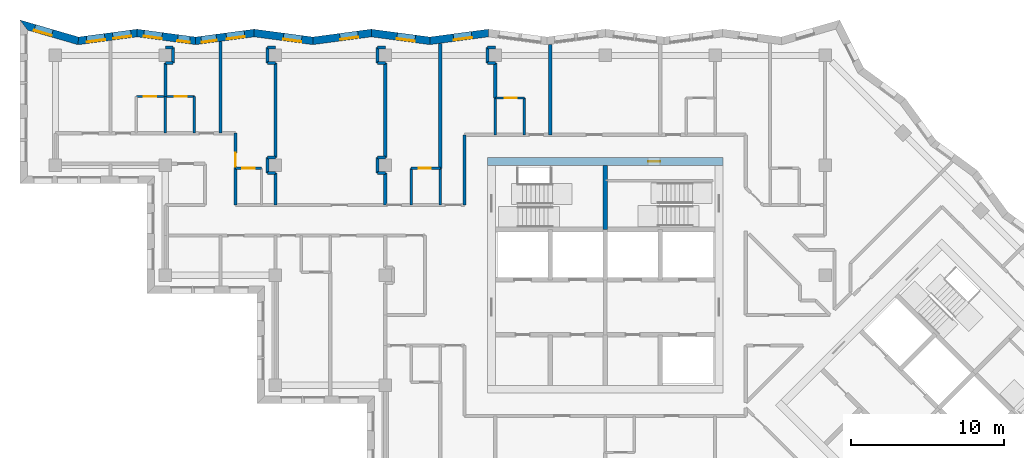
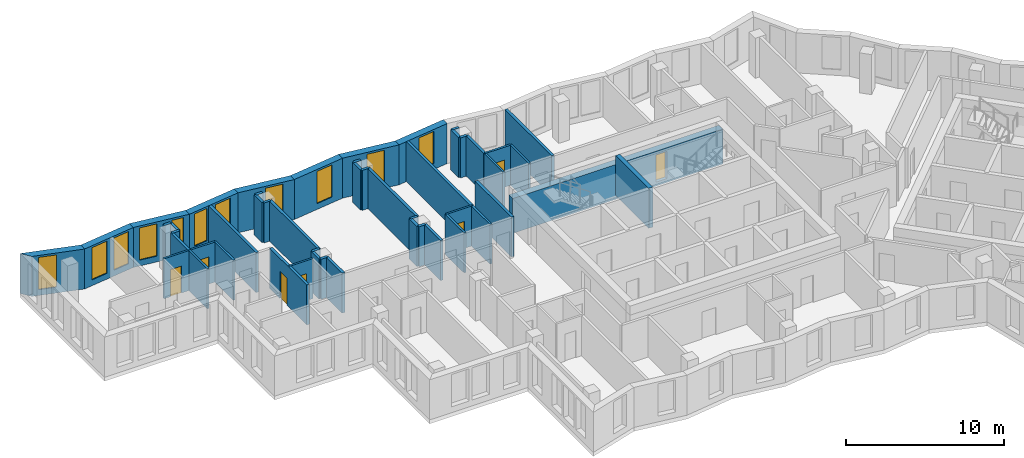
# One storey, part 6 of 12: 49 walls, 11 windows, 7 doors, 18 openings.
"""IFC4 building model written with IfcOpenShell, lengths in metres."""

from ifc_helpers import new_model, si_unit, direction, frame, frame_2d, origin, place, context, subcontext, project, spatial, polyline, rectangle, outline, extrude, material, layer, layer_set, type_object, element, fill, save


model = new_model("IFC4")

# Units and contexts
model_context = context("Model", 3, precision=1e-05, world=origin(), true_north=direction((0.0, 1.0)))
body_context = subcontext(model_context, "Body", "Model", "MODEL_VIEW")
ifc_project = project(units=[si_unit("LENGTHUNIT", "METRE"), si_unit("AREAUNIT", "SQUARE_METRE"), si_unit("VOLUMEUNIT", "CUBIC_METRE"), si_unit("PLANEANGLEUNIT", "RADIAN"), si_unit("MASSUNIT", "GRAM", prefix="KILO")], contexts=[model_context])

# Site, building, storey
site_placement = place(None, origin())
site = spatial("IfcSite", under=ifc_project, at=site_placement, CompositionType="ELEMENT")
building_placement = place(site_placement, origin())
building = spatial("IfcBuilding", under=site, at=building_placement, Name="Windrow Commons", CompositionType="ELEMENT")
storey_placement = place(building_placement, frame((0.0, 0.0, 213.4)))
storey = spatial("IfcBuildingStorey", under=building, at=storey_placement, Name="L58", CompositionType="ELEMENT", Elevation=213.4)

# Wall, opening, window
ifc_material_1 = material(Name="Brick masonry, red clay brick", Category="masonry")
ifc_layer_1 = layer(ifc_material_1, 0.5)
ifc_layer_set_1 = layer_set([ifc_layer_1], Name="Brick facade wall 500")
wall_type_1 = type_object("IfcWallType", Name="Brick facade wall 500", PredefinedType="SOLIDWALL", material=ifc_layer_set_1)
wall_1_placement = place(storey_placement, frame((57.1564, 73.4598, 0.0), z_axis=(0.0, 0.0, 1.0), x_axis=(-0.9911985198, -0.13238389, 0.0)))
wall_1 = element("IfcWall", 1, at=wall_1_placement, inside=storey, type_object=wall_type_1, Name="Brick facade wall L58 23", PredefinedType="SOLIDWALL", context=body_context, shape_type="SweptSolid", body=[
    extrude(outline(polyline([(-0.0334, -0.25), (3.8342, -0.25), (3.901, 0.25), (0.0334, 0.25), (-0.0334, -0.25)])), origin(), (0.0, 0.0, 1.0), 3.1),
])
opening_1_placement = place(wall_1_placement, frame((1.1089, 0.0, 0.45)))
opening_1 = element("IfcOpeningElement", 2, at=opening_1_placement, cuts=wall_1, Name="Opening W7E", PredefinedType="OPENING", context=body_context, shape_type="SweptSolid", body=[
    extrude(rectangle(XDim=1.2, YDim=2.5, at=frame_2d((0.6, 1.25))), frame((0.0, 0.26, 0.0), z_axis=(0.0, -1.0, 0.0), x_axis=(1.0, 0.0, 0.0)), (0.0, 0.0, 1.0), 0.52),
])
ifc_material_2 = material(Name="Clear float glass in anodised aluminium frame", Category="aluminium")
window_type_1 = type_object("IfcWindowType", Name="Window W7 notch 1200x2500", PartitioningType="SINGLE_PANEL", PredefinedType="WINDOW", material=ifc_material_2)
window_1_placement = place(opening_1_placement, origin())
window_1 = element("IfcWindow", 3, at=window_1_placement, inside=storey, type_object=window_type_1, Name="Window L58 23.1", OverallHeight=2.5, OverallWidth=1.2, PartitioningType="SINGLE_PANEL", PredefinedType="WINDOW", context=body_context, shape_type="SweptSolid", body=[
    extrude(rectangle(XDim=1.2, YDim=2.5, at=frame_2d((0.6, 1.25))), frame((0.0, 0.18, 0.0), z_axis=(0.0, -1.0, 0.0), x_axis=(1.0, 0.0, 0.0)), (0.0, 0.0, 1.0), 0.06),
])
fill(opening_1, window_1)

wall_2_placement = place(storey_placement, frame((53.3229, 72.9478, 0.0), z_axis=(0.0, 0.0, 1.0), x_axis=(-0.9911989729, 0.1323804972, 0.0)))
wall_2 = element("IfcWall", 4, at=wall_2_placement, inside=storey, type_object=wall_type_1, Name="Brick facade wall L58 24", PredefinedType="SOLIDWALL", context=body_context, shape_type="SweptSolid", body=[
    extrude(outline(polyline([(0.0334, -0.25), (3.901, -0.25), (3.8342, 0.25), (-0.0334, 0.25), (0.0334, -0.25)])), origin(), (0.0, 0.0, 1.0), 3.1),
])
opening_2_placement = place(wall_2_placement, frame((0.9744, 0.0, 0.45)))
opening_2 = element("IfcOpeningElement", 5, at=opening_2_placement, cuts=wall_2, Name="Opening W7E", PredefinedType="OPENING", context=body_context, shape_type="SweptSolid", body=[
    extrude(rectangle(XDim=1.2, YDim=2.5, at=frame_2d((0.6, 1.25))), frame((0.0, 0.26, 0.0), z_axis=(0.0, -1.0, 0.0), x_axis=(1.0, 0.0, 0.0)), (0.0, 0.0, 1.0), 0.52),
])
window_2_placement = place(opening_2_placement, origin())
window_2 = element("IfcWindow", 6, at=window_2_placement, inside=storey, type_object=window_type_1, Name="Window L58 24.1", OverallHeight=2.5, OverallWidth=1.2, PartitioningType="SINGLE_PANEL", PredefinedType="WINDOW", context=body_context, shape_type="SweptSolid", body=[
    extrude(rectangle(XDim=1.2, YDim=2.5, at=frame_2d((0.6, 1.25))), frame((0.0, 0.18, 0.0), z_axis=(0.0, -1.0, 0.0), x_axis=(1.0, 0.0, 0.0)), (0.0, 0.0, 1.0), 0.06),
])
fill(opening_2, window_2)

wall_3_placement = place(storey_placement, frame((49.4893, 73.4598, 0.0), z_axis=(0.0, 0.0, 1.0), x_axis=(-0.9911985198, -0.13238389, 0.0)))
wall_3 = element("IfcWall", 7, at=wall_3_placement, inside=storey, type_object=wall_type_1, Name="Brick facade wall L58 25", PredefinedType="SOLIDWALL", context=body_context, shape_type="SweptSolid", body=[
    extrude(outline(polyline([(-0.0334, -0.25), (3.8342, -0.25), (3.901, 0.25), (0.0334, 0.25), (-0.0334, -0.25)])), origin(), (0.0, 0.0, 1.0), 3.1),
])
opening_3_placement = place(wall_3_placement, frame((0.8733, 0.0, 0.45)))
opening_3 = element("IfcOpeningElement", 8, at=opening_3_placement, cuts=wall_3, Name="Opening W7E", PredefinedType="OPENING", context=body_context, shape_type="SweptSolid", body=[
    extrude(rectangle(XDim=1.2, YDim=2.5, at=frame_2d((0.6, 1.25))), frame((0.0, 0.26, 0.0), z_axis=(0.0, -1.0, 0.0), x_axis=(1.0, 0.0, 0.0)), (0.0, 0.0, 1.0), 0.52),
])
window_3_placement = place(opening_3_placement, origin())
window_3 = element("IfcWindow", 9, at=window_3_placement, inside=storey, type_object=window_type_1, Name="Window L58 25.1", OverallHeight=2.5, OverallWidth=1.2, PartitioningType="SINGLE_PANEL", PredefinedType="WINDOW", context=body_context, shape_type="SweptSolid", body=[
    extrude(rectangle(XDim=1.2, YDim=2.5, at=frame_2d((0.6, 1.25))), frame((0.0, 0.18, 0.0), z_axis=(0.0, -1.0, 0.0), x_axis=(1.0, 0.0, 0.0)), (0.0, 0.0, 1.0), 0.06),
])
fill(opening_3, window_3)

wall_4_placement = place(storey_placement, frame((45.6558, 72.9478, 0.0), z_axis=(0.0, 0.0, 1.0), x_axis=(-0.9911989729, 0.1323804972, 0.0)))
wall_4 = element("IfcWall", 10, at=wall_4_placement, inside=storey, type_object=wall_type_1, Name="Brick facade wall L58 26", PredefinedType="SOLIDWALL", context=body_context, shape_type="SweptSolid", body=[
    extrude(outline(polyline([(0.0334, -0.25), (3.901, -0.25), (3.8342, 0.25), (-0.0334, 0.25), (0.0334, -0.25)])), origin(), (0.0, 0.0, 1.0), 3.1),
])
opening_4_placement = place(wall_4_placement, frame((0.7388, 0.0, 0.45)))
opening_4 = element("IfcOpeningElement", 11, at=opening_4_placement, cuts=wall_4, Name="Opening W7E", PredefinedType="OPENING", context=body_context, shape_type="SweptSolid", body=[
    extrude(rectangle(XDim=1.2, YDim=2.5, at=frame_2d((0.6, 1.25))), frame((0.0, 0.26, 0.0), z_axis=(0.0, -1.0, 0.0), x_axis=(1.0, 0.0, 0.0)), (0.0, 0.0, 1.0), 0.52),
])
window_4_placement = place(opening_4_placement, origin())
window_4 = element("IfcWindow", 12, at=window_4_placement, inside=storey, type_object=window_type_1, Name="Window L58 26.1", OverallHeight=2.5, OverallWidth=1.2, PartitioningType="SINGLE_PANEL", PredefinedType="WINDOW", context=body_context, shape_type="SweptSolid", body=[
    extrude(rectangle(XDim=1.2, YDim=2.5, at=frame_2d((0.6, 1.25))), frame((0.0, 0.18, 0.0), z_axis=(0.0, -1.0, 0.0), x_axis=(1.0, 0.0, 0.0)), (0.0, 0.0, 1.0), 0.06),
])
fill(opening_4, window_4)

# Wall, openings, windows
wall_5_placement = place(storey_placement, frame((41.8222, 73.4598, 0.0), z_axis=(0.0, 0.0, 1.0), x_axis=(-0.9911985198, -0.13238389, 0.0)))
wall_5 = element("IfcWall", 13, at=wall_5_placement, inside=storey, type_object=wall_type_1, Name="Brick facade wall L58 27", PredefinedType="SOLIDWALL", context=body_context, shape_type="SweptSolid", body=[
    extrude(outline(polyline([(-0.0334, -0.25), (3.8342, -0.25), (3.901, 0.25), (0.0334, 0.25), (-0.0334, -0.25)])), origin(), (0.0, 0.0, 1.0), 3.1),
])
opening_5_placement = place(wall_5_placement, frame((0.6377, 0.0, 0.45)))
opening_5 = element("IfcOpeningElement", 14, at=opening_5_placement, cuts=wall_5, Name="Opening W7E", PredefinedType="OPENING", context=body_context, shape_type="SweptSolid", body=[
    extrude(rectangle(XDim=1.2, YDim=2.5, at=frame_2d((0.6, 1.25))), frame((0.0, 0.26, 0.0), z_axis=(0.0, -1.0, 0.0), x_axis=(1.0, 0.0, 0.0)), (0.0, 0.0, 1.0), 0.52),
])
opening_6_placement = place(wall_5_placement, frame((2.4963, 0.0, 0.45)))
opening_6 = element("IfcOpeningElement", 15, at=opening_6_placement, cuts=wall_5, Name="Opening W1S", PredefinedType="OPENING", context=body_context, shape_type="SweptSolid", body=[
    extrude(rectangle(XDim=1.0, YDim=2.5, at=frame_2d((0.5, 1.25))), frame((0.0, 0.26, 0.0), z_axis=(0.0, -1.0, 0.0), x_axis=(1.0, 0.0, 0.0)), (0.0, 0.0, 1.0), 0.52),
])
ifc_material_3 = material(Name="Clear float glass in anodised aluminium frame", Category="aluminium")
window_type_2 = type_object("IfcWindowType", Name="Window W1S slit 1000x2500", PartitioningType="SINGLE_PANEL", PredefinedType="WINDOW", material=ifc_material_3)
window_5_placement = place(opening_6_placement, origin())
window_5 = element("IfcWindow", 16, at=window_5_placement, inside=storey, type_object=window_type_2, Name="Window L58 27.2A", OverallHeight=2.5, OverallWidth=1.0, PartitioningType="SINGLE_PANEL", PredefinedType="WINDOW", context=body_context, shape_type="SweptSolid", body=[
    extrude(rectangle(XDim=1.0, YDim=2.5, at=frame_2d((0.5, 1.25))), frame((0.0, 0.18, 0.0), z_axis=(0.0, -1.0, 0.0), x_axis=(1.0, 0.0, 0.0)), (0.0, 0.0, 1.0), 0.06),
])
fill(opening_6, window_5)
window_6_placement = place(opening_5_placement, origin())
window_6 = element("IfcWindow", 17, at=window_6_placement, inside=storey, type_object=window_type_1, Name="Window L58 27.1", OverallHeight=2.5, OverallWidth=1.2, PartitioningType="SINGLE_PANEL", PredefinedType="WINDOW", context=body_context, shape_type="SweptSolid", body=[
    extrude(rectangle(XDim=1.2, YDim=2.5, at=frame_2d((0.6, 1.25))), frame((0.0, 0.18, 0.0), z_axis=(0.0, -1.0, 0.0), x_axis=(1.0, 0.0, 0.0)), (0.0, 0.0, 1.0), 0.06),
])
fill(opening_5, window_6)

wall_6_placement = place(storey_placement, frame((37.9887, 72.9478, 0.0), z_axis=(0.0, 0.0, 1.0), x_axis=(-0.9911989729, 0.1323804972, 0.0)))
wall_6 = element("IfcWall", 18, at=wall_6_placement, inside=storey, type_object=wall_type_1, Name="Brick facade wall L58 28", PredefinedType="SOLIDWALL", context=body_context, shape_type="SweptSolid", body=[
    extrude(outline(polyline([(0.0334, -0.25), (3.901, -0.25), (3.8342, 0.25), (-0.0334, 0.25), (0.0334, -0.25)])), origin(), (0.0, 0.0, 1.0), 3.1),
])
opening_7_placement = place(wall_6_placement, frame((2.2203, 0.0, 0.45)))
opening_7 = element("IfcOpeningElement", 19, at=opening_7_placement, cuts=wall_6, Name="Opening W7E", PredefinedType="OPENING", context=body_context, shape_type="SweptSolid", body=[
    extrude(rectangle(XDim=1.2, YDim=2.5, at=frame_2d((0.6, 1.25))), frame((0.0, 0.26, 0.0), z_axis=(0.0, -1.0, 0.0), x_axis=(1.0, 0.0, 0.0)), (0.0, 0.0, 1.0), 0.52),
])
opening_8_placement = place(wall_6_placement, frame((0.3835, 0.0, 0.45)))
opening_8 = element("IfcOpeningElement", 20, at=opening_8_placement, cuts=wall_6, Name="Opening W1N", PredefinedType="OPENING", context=body_context, shape_type="SweptSolid", body=[
    extrude(rectangle(XDim=0.8, YDim=2.5, at=frame_2d((0.4, 1.25))), frame((0.0, 0.26, 0.0), z_axis=(0.0, -1.0, 0.0), x_axis=(1.0, 0.0, 0.0)), (0.0, 0.0, 1.0), 0.52),
])
ifc_material_4 = material(Name="Clear float glass in anodised aluminium frame", Category="aluminium")
window_type_3 = type_object("IfcWindowType", Name="Window W1N slit 800x2500", PartitioningType="SINGLE_PANEL", PredefinedType="WINDOW", material=ifc_material_4)
window_7_placement = place(opening_8_placement, origin())
window_7 = element("IfcWindow", 21, at=window_7_placement, inside=storey, type_object=window_type_3, Name="Window L58 28.1A", OverallHeight=2.5, OverallWidth=0.8, PartitioningType="SINGLE_PANEL", PredefinedType="WINDOW", context=body_context, shape_type="SweptSolid", body=[
    extrude(rectangle(XDim=0.8, YDim=2.5, at=frame_2d((0.4, 1.25))), frame((0.0, 0.18, 0.0), z_axis=(0.0, -1.0, 0.0), x_axis=(1.0, 0.0, 0.0)), (0.0, 0.0, 1.0), 0.06),
])
fill(opening_8, window_7)
window_8_placement = place(opening_7_placement, origin())
window_8 = element("IfcWindow", 22, at=window_8_placement, inside=storey, type_object=window_type_1, Name="Window L58 28.2", OverallHeight=2.5, OverallWidth=1.2, PartitioningType="SINGLE_PANEL", PredefinedType="WINDOW", context=body_context, shape_type="SweptSolid", body=[
    extrude(rectangle(XDim=1.2, YDim=2.5, at=frame_2d((0.6, 1.25))), frame((0.0, 0.18, 0.0), z_axis=(0.0, -1.0, 0.0), x_axis=(1.0, 0.0, 0.0)), (0.0, 0.0, 1.0), 0.06),
])
fill(opening_7, window_8)

wall_7_placement = place(storey_placement, frame((34.1551, 73.4598, 0.0), z_axis=(0.0, 0.0, 1.0), x_axis=(-0.991196865, -0.1323962796, 0.0)))
wall_7 = element("IfcWall", 23, at=wall_7_placement, inside=storey, type_object=wall_type_1, Name="Brick facade wall L58 29", PredefinedType="SOLIDWALL", context=body_context, shape_type="SweptSolid", body=[
    extrude(outline(polyline([(-0.0334, -0.25), (3.8342, -0.25), (3.9395, 0.25), (0.0334, 0.25), (-0.0334, -0.25)])), origin(), (0.0, 0.0, 1.0), 3.1),
])
opening_9_placement = place(wall_7_placement, frame((0.402, 0.0, 0.45)))
opening_9 = element("IfcOpeningElement", 24, at=opening_9_placement, cuts=wall_7, Name="Opening W7E", PredefinedType="OPENING", context=body_context, shape_type="SweptSolid", body=[
    extrude(rectangle(XDim=1.2, YDim=2.5, at=frame_2d((0.6, 1.25))), frame((0.0, 0.26, 0.0), z_axis=(0.0, -1.0, 0.0), x_axis=(1.0, 0.0, 0.0)), (0.0, 0.0, 1.0), 0.52),
])
opening_10_placement = place(wall_7_placement, frame((2.1288, 0.0, 0.45)))
opening_10 = element("IfcOpeningElement", 25, at=opening_10_placement, cuts=wall_7, Name="Opening W7E", PredefinedType="OPENING", context=body_context, shape_type="SweptSolid", body=[
    extrude(rectangle(XDim=1.2, YDim=2.5, at=frame_2d((0.6, 1.25))), frame((0.0, 0.26, 0.0), z_axis=(0.0, -1.0, 0.0), x_axis=(1.0, 0.0, 0.0)), (0.0, 0.0, 1.0), 0.52),
])
window_9_placement = place(opening_9_placement, origin())
window_9 = element("IfcWindow", 26, at=window_9_placement, inside=storey, type_object=window_type_1, Name="Window L58 29.1", OverallHeight=2.5, OverallWidth=1.2, PartitioningType="SINGLE_PANEL", PredefinedType="WINDOW", context=body_context, shape_type="SweptSolid", body=[
    extrude(rectangle(XDim=1.2, YDim=2.5, at=frame_2d((0.6, 1.25))), frame((0.0, 0.18, 0.0), z_axis=(0.0, -1.0, 0.0), x_axis=(1.0, 0.0, 0.0)), (0.0, 0.0, 1.0), 0.06),
])
fill(opening_9, window_9)
window_10_placement = place(opening_10_placement, origin())
window_10 = element("IfcWindow", 27, at=window_10_placement, inside=storey, type_object=window_type_1, Name="Window L58 29.2", OverallHeight=2.5, OverallWidth=1.2, PartitioningType="SINGLE_PANEL", PredefinedType="WINDOW", context=body_context, shape_type="SweptSolid", body=[
    extrude(rectangle(XDim=1.2, YDim=2.5, at=frame_2d((0.6, 1.25))), frame((0.0, 0.18, 0.0), z_axis=(0.0, -1.0, 0.0), x_axis=(1.0, 0.0, 0.0)), (0.0, 0.0, 1.0), 0.06),
])
fill(opening_10, window_10)

# Wall, opening, window
wall_8_placement = place(storey_placement, frame((30.3025, 72.9452, 0.0), z_axis=(0.0, 0.0, 1.0), x_axis=(-0.9604078738, 0.2785977673, 0.0)))
wall_8 = element("IfcWall", 28, at=wall_8_placement, inside=storey, type_object=wall_type_1, Name="Brick facade wall L58 30", PredefinedType="SOLIDWALL", context=body_context, shape_type="SweptSolid", body=[
    extrude(outline(polyline([(0.0526, -0.25), (4.0442, -0.25), (3.3786, 0.25), (-0.0526, 0.25), (0.0526, -0.25)])), origin(), (0.0, 0.0, 1.0), 3.1),
])
opening_11_placement = place(wall_8_placement, frame((1.7715, 0.0, 0.45)))
opening_11 = element("IfcOpeningElement", 29, at=opening_11_placement, cuts=wall_8, Name="Opening W7E", PredefinedType="OPENING", context=body_context, shape_type="SweptSolid", body=[
    extrude(rectangle(XDim=1.2, YDim=2.5, at=frame_2d((0.6, 1.25))), frame((0.0, 0.26, 0.0), z_axis=(0.0, -1.0, 0.0), x_axis=(1.0, 0.0, 0.0)), (0.0, 0.0, 1.0), 0.52),
])
window_11_placement = place(opening_11_placement, origin())
window_11 = element("IfcWindow", 30, at=window_11_placement, inside=storey, type_object=window_type_1, Name="Window L58 30.1", OverallHeight=2.5, OverallWidth=1.2, PartitioningType="SINGLE_PANEL", PredefinedType="WINDOW", context=body_context, shape_type="SweptSolid", body=[
    extrude(rectangle(XDim=1.2, YDim=2.5, at=frame_2d((0.6, 1.25))), frame((0.0, 0.18, 0.0), z_axis=(0.0, -1.0, 0.0), x_axis=(1.0, 0.0, 0.0)), (0.0, 0.0, 1.0), 0.06),
])
fill(opening_11, window_11)

# Wall, opening, door
ifc_material_5 = material(Name="Blockwork partition", Category="masonry")
ifc_layer_2 = layer(ifc_material_5, 0.2)
ifc_layer_set_2 = layer_set([ifc_layer_2], Name="IW-CORRIDOR-200")
wall_type_2 = type_object("IfcWallType", Name="IW-CORRIDOR-200", PredefinedType="PARTITIONING", material=ifc_layer_set_2)
wall_9_placement = place(storey_placement, frame((40.6, 62.202, 0.0), z_axis=(0.0, 0.0, 1.0), x_axis=(0.0, 1.0, 0.0)))
wall_9 = element("IfcWall", 31, at=wall_9_placement, inside=storey, type_object=wall_type_2, Name="W-L58-W039", PredefinedType="PARTITIONING", context=body_context, shape_type="SweptSolid", body=[
    extrude(rectangle(XDim=4.698, YDim=0.2, at=frame_2d((2.349, 0.0))), origin(), (0.0, 0.0, 1.0), 3.1),
])
opening_12_placement = place(wall_9_placement, frame((2.5098, 0.0, 0.0)))
opening_12 = element("IfcOpeningElement", 32, at=opening_12_placement, cuts=wall_9, Name="Opening D109S", PredefinedType="OPENING", context=body_context, shape_type="SweptSolid", body=[
    extrude(rectangle(XDim=0.9, YDim=2.1, at=frame_2d((0.45, 1.05))), frame((0.0, 0.11, 0.0), z_axis=(0.0, -1.0, 0.0), x_axis=(1.0, 0.0, 0.0)), (0.0, 0.0, 1.0), 0.22),
])
ifc_material_6 = material(Name="Timber door leaf", Category="wood")
door_type_1 = type_object("IfcDoorType", Name="DT-BEDROOM-900", OperationType="SINGLE_SWING_LEFT", PredefinedType="DOOR", material=ifc_material_6)
door_1_placement = place(opening_12_placement, origin())
door_1 = element("IfcDoor", 33, at=door_1_placement, inside=storey, type_object=door_type_1, Name="D-L58-D016", OperationType="SINGLE_SWING_LEFT", OverallHeight=2.1, OverallWidth=0.9, PredefinedType="DOOR", context=body_context, shape_type="SweptSolid", body=[
    extrude(rectangle(XDim=0.9, YDim=2.1, at=frame_2d((0.45, 1.05))), frame((0.0, 0.025, 0.0), z_axis=(0.0, -1.0, 0.0), x_axis=(1.0, 0.0, 0.0)), (0.0, 0.0, 1.0), 0.05),
])
fill(opening_12, door_1)

# Wall
wall_10_placement = place(storey_placement, frame((55.6, 62.202, 0.0), z_axis=(0.0, 0.0, 1.0), x_axis=(0.0, 1.0, 0.0)))
element("IfcWall", 34, at=wall_10_placement, inside=storey, type_object=wall_type_2, Name="W-L58-W041", PredefinedType="PARTITIONING", context=body_context, shape_type="SweptSolid", body=[
    extrude(rectangle(XDim=4.598, YDim=0.2, at=frame_2d((2.299, 0.0))), origin(), (0.0, 0.0, 1.0), 3.1),
])

# Wall, openings, doors
ifc_material_7 = material(Name="Blockwork partition", Category="masonry")
ifc_layer_3 = layer(ifc_material_7, 0.15)
ifc_layer_set_3 = layer_set([ifc_layer_3], Name="IW-ENSUITE-150")
wall_type_3 = type_object("IfcWallType", Name="IW-ENSUITE-150", PredefinedType="PARTITIONING", material=ifc_layer_set_3)
wall_11_placement = place(storey_placement, frame((34.1, 69.3, 0.0), z_axis=(0.0, 0.0, 1.0), x_axis=(1.0, 0.0, 0.0)))
wall_11 = element("IfcWall", 35, at=wall_11_placement, inside=storey, type_object=wall_type_3, Name="W-L58-W045", PredefinedType="PARTITIONING", context=body_context, shape_type="SweptSolid", body=[
    extrude(rectangle(XDim=3.8, YDim=0.15, at=frame_2d((1.9, 0.0))), origin(), (0.0, 0.0, 1.0), 3.1),
])
opening_13_placement = place(wall_11_placement, frame((0.4931, 0.0, 0.0)))
opening_13 = element("IfcOpeningElement", 36, at=opening_13_placement, cuts=wall_11, Name="Opening D208N", PredefinedType="OPENING", context=body_context, shape_type="SweptSolid", body=[
    extrude(rectangle(XDim=0.8, YDim=2.1, at=frame_2d((0.4, 1.05))), frame((0.0, 0.085, 0.0), z_axis=(0.0, -1.0, 0.0), x_axis=(1.0, 0.0, 0.0)), (0.0, 0.0, 1.0), 0.17),
])
opening_14_placement = place(wall_11_placement, frame((2.5069, 0.0, 0.0)))
opening_14 = element("IfcOpeningElement", 37, at=opening_14_placement, cuts=wall_11, Name="Opening D208N", PredefinedType="OPENING", context=body_context, shape_type="SweptSolid", body=[
    extrude(rectangle(XDim=0.8, YDim=2.1, at=frame_2d((0.4, 1.05))), frame((0.0, 0.085, 0.0), z_axis=(0.0, -1.0, 0.0), x_axis=(1.0, 0.0, 0.0)), (0.0, 0.0, 1.0), 0.17),
])
ifc_material_8 = material(Name="Timber door leaf", Category="wood")
door_type_2 = type_object("IfcDoorType", Name="DT-ENSUITE-800", OperationType="SINGLE_SWING_LEFT", PredefinedType="DOOR", material=ifc_material_8)
door_2_placement = place(opening_13_placement, origin())
door_2 = element("IfcDoor", 38, at=door_2_placement, inside=storey, type_object=door_type_2, Name="D-L58-D004", OperationType="SINGLE_SWING_RIGHT", OverallHeight=2.1, OverallWidth=0.8, PredefinedType="DOOR", context=body_context, shape_type="SweptSolid", body=[
    extrude(rectangle(XDim=0.8, YDim=2.1, at=frame_2d((0.4, 1.05))), frame((0.0, 0.025, 0.0), z_axis=(0.0, -1.0, 0.0), x_axis=(1.0, 0.0, 0.0)), (0.0, 0.0, 1.0), 0.05),
])
fill(opening_13, door_2)
door_3_placement = place(opening_14_placement, origin())
door_3 = element("IfcDoor", 39, at=door_3_placement, inside=storey, type_object=door_type_2, Name="D-L58-D006", OperationType="SINGLE_SWING_RIGHT", OverallHeight=2.1, OverallWidth=0.8, PredefinedType="DOOR", context=body_context, shape_type="SweptSolid", body=[
    extrude(rectangle(XDim=0.8, YDim=2.1, at=frame_2d((0.4, 1.05))), frame((0.0, 0.025, 0.0), z_axis=(0.0, -1.0, 0.0), x_axis=(1.0, 0.0, 0.0)), (0.0, 0.0, 1.0), 0.05),
])
fill(opening_14, door_3)

# Walls
for number, where, z_axis, x_axis, name in (
    (40, (57.6, 66.8, 0.0), (0.0, 0.0, 1.0), (0.0, 1.0, 0.0), "W-L58-W064"),
    (41, (59.5, 66.8, 0.0), (0.0, 0.0, 1.0), (0.0, 1.0, 0.0), "W-L58-W065"),
    (42, (36.0, 66.9, 0.0), (0.0, 0.0, 1.0), (0.0, 1.0, 0.0), "W-L58-W074"),
    (43, (37.9, 66.9, 0.0), (0.0, 0.0, 1.0), (0.0, 1.0, 0.0), "W-L58-W075"),
    (44, (52.1, 62.2, 0.0), (0.0, 0.0, 1.0), (0.0, 1.0, 0.0), "W-L58-W077"),
    (45, (54.0, 62.2, 0.0), (0.0, 0.0, 1.0), (0.0, 1.0, 0.0), "W-L58-W078"),
):
    element("IfcWall", number, at=place(storey_placement, frame(where, z_axis=z_axis, x_axis=x_axis)), inside=storey, type_object=wall_type_3, Name=name, PredefinedType="PARTITIONING", context=body_context, shape_type="SweptSolid", body=[
        extrude(rectangle(XDim=2.4, YDim=0.15, at=frame_2d((1.2, 0.0))), origin(), (0.0, 0.0, 1.0), 3.1),
    ])

# Wall, opening, door
wall_12_placement = place(storey_placement, frame((52.1, 64.6, 0.0), z_axis=(0.0, 0.0, 1.0), x_axis=(1.0, 0.0, 0.0)))
wall_12 = element("IfcWall", 46, at=wall_12_placement, inside=storey, type_object=wall_type_3, Name="W-L58-W110", PredefinedType="PARTITIONING", context=body_context, shape_type="SweptSolid", body=[
    extrude(rectangle(XDim=1.9, YDim=0.15, at=frame_2d((0.95, 0.0))), origin(), (0.0, 0.0, 1.0), 3.1),
])
opening_15_placement = place(wall_12_placement, frame((0.4931, 0.0, 0.0)))
opening_15 = element("IfcOpeningElement", 47, at=opening_15_placement, cuts=wall_12, Name="Opening D208N", PredefinedType="OPENING", context=body_context, shape_type="SweptSolid", body=[
    extrude(rectangle(XDim=0.8, YDim=2.1, at=frame_2d((0.4, 1.05))), frame((0.0, 0.085, 0.0), z_axis=(0.0, -1.0, 0.0), x_axis=(1.0, 0.0, 0.0)), (0.0, 0.0, 1.0), 0.17),
])
door_4_placement = place(opening_15_placement, origin())
door_4 = element("IfcDoor", 48, at=door_4_placement, inside=storey, type_object=door_type_2, Name="D-L58-D020", OperationType="SINGLE_SWING_RIGHT", OverallHeight=2.1, OverallWidth=0.8, PredefinedType="DOOR", context=body_context, shape_type="SweptSolid", body=[
    extrude(rectangle(XDim=0.8, YDim=2.1, at=frame_2d((0.4, 1.05))), frame((0.0, 0.025, 0.0), z_axis=(0.0, -1.0, 0.0), x_axis=(1.0, 0.0, 0.0)), (0.0, 0.0, 1.0), 0.05),
])
fill(opening_15, door_4)

wall_13_placement = place(storey_placement, frame((57.6, 69.2, 0.0), z_axis=(0.0, 0.0, 1.0), x_axis=(1.0, 0.0, 0.0)))
wall_13 = element("IfcWall", 49, at=wall_13_placement, inside=storey, type_object=wall_type_3, Name="W-L58-W113", PredefinedType="PARTITIONING", context=body_context, shape_type="SweptSolid", body=[
    extrude(rectangle(XDim=1.9, YDim=0.15, at=frame_2d((0.95, 0.0))), origin(), (0.0, 0.0, 1.0), 3.1),
])
opening_16_placement = place(wall_13_placement, frame((0.6069, 0.0, 0.0)))
opening_16 = element("IfcOpeningElement", 50, at=opening_16_placement, cuts=wall_13, Name="Opening D208N", PredefinedType="OPENING", context=body_context, shape_type="SweptSolid", body=[
    extrude(rectangle(XDim=0.8, YDim=2.1, at=frame_2d((0.4, 1.05))), frame((0.0, 0.085, 0.0), z_axis=(0.0, -1.0, 0.0), x_axis=(1.0, 0.0, 0.0)), (0.0, 0.0, 1.0), 0.17),
])
door_5_placement = place(opening_16_placement, origin())
door_5 = element("IfcDoor", 51, at=door_5_placement, inside=storey, type_object=door_type_2, Name="D-L58-D008", OperationType="SINGLE_SWING_RIGHT", OverallHeight=2.1, OverallWidth=0.8, PredefinedType="DOOR", context=body_context, shape_type="SweptSolid", body=[
    extrude(rectangle(XDim=0.8, YDim=2.1, at=frame_2d((0.4, 1.05))), frame((0.0, 0.025, 0.0), z_axis=(0.0, -1.0, 0.0), x_axis=(1.0, 0.0, 0.0)), (0.0, 0.0, 1.0), 0.05),
])
fill(opening_16, door_5)

wall_14_placement = place(storey_placement, frame((40.6, 64.6, 0.0), z_axis=(0.0, 0.0, 1.0), x_axis=(1.0, 0.0, 0.0)))
wall_14 = element("IfcWall", 52, at=wall_14_placement, inside=storey, type_object=wall_type_3, Name="W-L58-W117", PredefinedType="PARTITIONING", context=body_context, shape_type="SweptSolid", body=[
    extrude(rectangle(XDim=1.7, YDim=0.15, at=frame_2d((0.85, 0.0))), origin(), (0.0, 0.0, 1.0), 3.1),
])
opening_17_placement = place(wall_14_placement, frame((0.4443, 0.0, 0.0)))
opening_17 = element("IfcOpeningElement", 53, at=opening_17_placement, cuts=wall_14, Name="Opening D208N", PredefinedType="OPENING", context=body_context, shape_type="SweptSolid", body=[
    extrude(rectangle(XDim=0.8, YDim=2.1, at=frame_2d((0.4, 1.05))), frame((0.0, 0.085, 0.0), z_axis=(0.0, -1.0, 0.0), x_axis=(1.0, 0.0, 0.0)), (0.0, 0.0, 1.0), 0.17),
])
door_6_placement = place(opening_17_placement, origin())
door_6 = element("IfcDoor", 54, at=door_6_placement, inside=storey, type_object=door_type_2, Name="D-L58-D017", OperationType="SINGLE_SWING_RIGHT", OverallHeight=2.1, OverallWidth=0.8, PredefinedType="DOOR", context=body_context, shape_type="SweptSolid", body=[
    extrude(rectangle(XDim=0.8, YDim=2.1, at=frame_2d((0.4, 1.05))), frame((0.0, 0.025, 0.0), z_axis=(0.0, -1.0, 0.0), x_axis=(1.0, 0.0, 0.0)), (0.0, 0.0, 1.0), 0.05),
])
fill(opening_17, door_6)

# Walls
ifc_material_9 = material(Name="Blockwork partition", Category="masonry")
ifc_layer_4 = layer(ifc_material_9, 0.2)
ifc_layer_set_4 = layer_set([ifc_layer_4], Name="IW-PARTY-200")
wall_type_4 = type_object("IfcWallType", Name="IW-PARTY-200", PredefinedType="PARTITIONING", material=ifc_layer_set_4)
wall_15_placement = place(storey_placement, frame((54.0, 64.6, 0.0), z_axis=(0.0, 0.0, 1.0), x_axis=(0.0, 1.0, 0.0)))
element("IfcWall", 55, at=wall_15_placement, inside=storey, type_object=wall_type_4, Name="W-L58-W013", PredefinedType="PARTITIONING", context=body_context, shape_type="SweptSolid", body=[
    extrude(rectangle(XDim=8.186, YDim=0.2, at=frame_2d((4.093, 0.0))), origin(), (0.0, 0.0, 1.0), 3.1),
])
for number, where, z_axis, x_axis, name in (
    (56, (43.2, 65.304, 0.0), (0.0, 0.0, 1.0), (0.0, 1.0, 0.0), "W-L58-W020"),
    (57, (50.4, 65.304, 0.0), (0.0, 0.0, 1.0), (0.0, 1.0, 0.0), "W-L58-W021"),
):
    element("IfcWall", number, at=place(storey_placement, frame(where, z_axis=z_axis, x_axis=x_axis)), inside=storey, type_object=wall_type_4, Name=name, PredefinedType="PARTITIONING", context=body_context, shape_type="SweptSolid", body=[
        extrude(rectangle(XDim=6.192, YDim=0.2, at=frame_2d((3.096, 0.0))), origin(), (0.0, 0.0, 1.0), 3.1),
    ])
wall_16_placement = place(storey_placement, frame((39.6, 66.9, 0.0), z_axis=(0.0, 0.0, 1.0), x_axis=(0.0, 1.0, 0.0)))
element("IfcWall", 58, at=wall_16_placement, inside=storey, type_object=wall_type_4, Name="W-L58-W024", PredefinedType="PARTITIONING", context=body_context, shape_type="SweptSolid", body=[
    extrude(rectangle(XDim=6.0108, YDim=0.2, at=frame_2d((3.0054, 0.0))), origin(), (0.0, 0.0, 1.0), 3.1),
])
wall_17_placement = place(storey_placement, frame((61.2, 66.8, 0.0), z_axis=(0.0, 0.0, 1.0), x_axis=(0.0, 1.0, 0.0)))
element("IfcWall", 59, at=wall_17_placement, inside=storey, type_object=wall_type_4, Name="W-L58-W026", PredefinedType="PARTITIONING", context=body_context, shape_type="SweptSolid", body=[
    extrude(rectangle(XDim=5.9236, YDim=0.2, at=frame_2d((2.9618, 0.0))), origin(), (0.0, 0.0, 1.0), 3.1),
])
wall_18_placement = place(storey_placement, frame((57.6, 69.2, 0.0), z_axis=(0.0, 0.0, 1.0), x_axis=(0.0, 1.0, 0.0)))
element("IfcWall", 60, at=wall_18_placement, inside=storey, type_object=wall_type_4, Name="W-L58-W085", PredefinedType="PARTITIONING", context=body_context, shape_type="SweptSolid", body=[
    extrude(rectangle(XDim=2.296, YDim=0.2, at=frame_2d((1.148, 0.0))), origin(), (0.0, 0.0, 1.0), 3.1),
])
wall_19_placement = place(storey_placement, frame((36.0, 69.3, 0.0), z_axis=(0.0, 0.0, 1.0), x_axis=(0.0, 1.0, 0.0)))
element("IfcWall", 61, at=wall_19_placement, inside=storey, type_object=wall_type_4, Name="W-L58-W093", PredefinedType="PARTITIONING", context=body_context, shape_type="SweptSolid", body=[
    extrude(rectangle(XDim=2.196, YDim=0.2, at=frame_2d((1.098, 0.0))), origin(), (0.0, 0.0, 1.0), 3.1),
])
for number, where, z_axis, x_axis, name in (
    (62, (43.2, 62.2, 0.0), (0.0, 0.0, 1.0), (0.0, 1.0, 0.0), "W-L58-W094"),
    (63, (50.4, 62.2, 0.0), (0.0, 0.0, 1.0), (0.0, 1.0, 0.0), "W-L58-W095"),
):
    element("IfcWall", number, at=place(storey_placement, frame(where, z_axis=z_axis, x_axis=x_axis)), inside=storey, type_object=wall_type_4, Name=name, PredefinedType="PARTITIONING", context=body_context, shape_type="SweptSolid", body=[
        extrude(rectangle(XDim=2.096, YDim=0.2, at=frame_2d((1.048, 0.0))), origin(), (0.0, 0.0, 1.0), 3.1),
    ])
for number, where, z_axis, x_axis, name in (
    (64, (36.5, 71.496, 0.0), (0.0, 0.0, 1.0), (0.0, 1.0, 0.0), "W-L58-W126"),
    (65, (42.7, 71.496, 0.0), (0.0, 0.0, 1.0), (0.0, 1.0, 0.0), "W-L58-W127"),
    (66, (49.9, 71.496, 0.0), (0.0, 0.0, 1.0), (0.0, 1.0, 0.0), "W-L58-W129"),
    (67, (57.1, 71.496, 0.0), (0.0, 0.0, 1.0), (0.0, 1.0, 0.0), "W-L58-W130"),
):
    element("IfcWall", number, at=place(storey_placement, frame(where, z_axis=z_axis, x_axis=x_axis)), inside=storey, type_object=wall_type_4, Name=name, PredefinedType="PARTITIONING", context=body_context, shape_type="SweptSolid", body=[
        extrude(rectangle(XDim=1.01, YDim=0.2, at=frame_2d((0.505, 0.0))), origin(), (0.0, 0.0, 1.0), 3.1),
    ])
for number, where, z_axis, x_axis, name in (
    (68, (42.7, 64.296, 0.0), (0.0, 0.0, 1.0), (0.0, 1.0, 0.0), "W-L58-W133"),
    (69, (49.9, 64.296, 0.0), (0.0, 0.0, 1.0), (0.0, 1.0, 0.0), "W-L58-W134"),
):
    element("IfcWall", number, at=place(storey_placement, frame(where, z_axis=z_axis, x_axis=x_axis)), inside=storey, type_object=wall_type_4, Name=name, PredefinedType="PARTITIONING", context=body_context, shape_type="SweptSolid", body=[
        extrude(rectangle(XDim=1.008, YDim=0.2, at=frame_2d((0.504, 0.0))), origin(), (0.0, 0.0, 1.0), 3.1),
    ])
for number, where, z_axis, x_axis, name in (
    (70, (36.0, 72.51, 0.0), (0.0, 0.0, 1.0), (1.0, 0.0, 0.0), "W-L58-W140"),
    (71, (42.7, 72.51, 0.0), (0.0, 0.0, 1.0), (1.0, 0.0, 0.0), "W-L58-W141"),
    (72, (49.9, 72.51, 0.0), (0.0, 0.0, 1.0), (1.0, 0.0, 0.0), "W-L58-W142"),
    (73, (57.1, 72.51, 0.0), (0.0, 0.0, 1.0), (1.0, 0.0, 0.0), "W-L58-W143"),
    (74, (36.0, 71.5, 0.0), (0.0, 0.0, 1.0), (1.0, 0.0, 0.0), "W-L58-W144"),
    (75, (42.7, 71.5, 0.0), (0.0, 0.0, 1.0), (1.0, 0.0, 0.0), "W-L58-W145"),
    (76, (49.9, 71.5, 0.0), (0.0, 0.0, 1.0), (1.0, 0.0, 0.0), "W-L58-W146"),
    (77, (57.1, 71.5, 0.0), (0.0, 0.0, 1.0), (1.0, 0.0, 0.0), "W-L58-W147"),
    (78, (42.7, 65.3, 0.0), (0.0, 0.0, 1.0), (1.0, 0.0, 0.0), "W-L58-W148"),
    (79, (49.9, 65.3, 0.0), (0.0, 0.0, 1.0), (1.0, 0.0, 0.0), "W-L58-W149"),
    (80, (42.7, 64.3, 0.0), (0.0, 0.0, 1.0), (1.0, 0.0, 0.0), "W-L58-W150"),
    (81, (49.9, 64.3, 0.0), (0.0, 0.0, 1.0), (1.0, 0.0, 0.0), "W-L58-W151"),
):
    element("IfcWall", number, at=place(storey_placement, frame(where, z_axis=z_axis, x_axis=x_axis)), inside=storey, type_object=wall_type_4, Name=name, PredefinedType="PARTITIONING", context=body_context, shape_type="SweptSolid", body=[
        extrude(rectangle(XDim=0.5, YDim=0.2, at=frame_2d((0.25, 0.0))), origin(), (0.0, 0.0, 1.0), 3.1),
    ])

# Wall, opening, door
ifc_material_10 = material(Name="Concrete C40/50", Category="concrete")
ifc_layer_5 = layer(ifc_material_10, 0.5)
ifc_layer_set_5 = layer_set([ifc_layer_5], Name="RC CORE WALL 500 C40/50")
wall_type_5 = type_object("IfcWallType", Name="RC CORE WALL 500 C40/50", PredefinedType="SHEAR", material=ifc_layer_set_5)
wall_20_placement = place(storey_placement, frame((57.1, 65.05, -0.3), z_axis=(0.0, 0.0, 1.0), x_axis=(1.0, 0.0, 0.0)))
wall_20 = element("IfcWall", 82, at=wall_20_placement, inside=storey, type_object=wall_type_5, Name="Core A wall outer-N", PredefinedType="SHEAR", context=body_context, shape_type="SweptSolid", body=[
    extrude(rectangle(XDim=15.4, YDim=0.5, at=frame_2d((7.7, 0.0))), origin(), (0.0, 0.0, 1.0), 2.7),
])
opening_18_placement = place(wall_20_placement, frame((10.5, 0.0, 0.3)))
opening_18 = element("IfcOpeningElement", 83, at=opening_18_placement, cuts=wall_20, Name="Opening D9", PredefinedType="OPENING", context=body_context, shape_type="SweptSolid", body=[
    extrude(rectangle(XDim=0.8, YDim=2.1, at=frame_2d((0.4, 1.05))), frame((0.0, 0.26, 0.0), z_axis=(0.0, -1.0, 0.0), x_axis=(1.0, 0.0, 0.0)), (0.0, 0.0, 1.0), 0.52),
])
ifc_material_11 = material(Name="Steel fire door leaf", Category="steel")
door_type_3 = type_object("IfcDoorType", Name="Riser access door 800", OperationType="SINGLE_SWING_LEFT", PredefinedType="DOOR", material=ifc_material_11)
door_7_placement = place(opening_18_placement, origin())
door_7 = element("IfcDoor", 84, at=door_7_placement, inside=storey, type_object=door_type_3, Name="Riser access door", OperationType="SINGLE_SWING_RIGHT", OverallHeight=2.1, OverallWidth=0.8, PredefinedType="DOOR", context=body_context, shape_type="SweptSolid", body=[
    extrude(rectangle(XDim=0.8, YDim=2.1, at=frame_2d((0.4, 1.05))), frame((0.0, 0.025, 0.0), z_axis=(0.0, -1.0, 0.0), x_axis=(1.0, 0.0, 0.0)), (0.0, 0.0, 1.0), 0.05),
])
fill(opening_18, door_7)

# Wall
ifc_material_12 = material(Name="Concrete C40/50", Category="concrete")
ifc_layer_6 = layer(ifc_material_12, 0.3)
ifc_layer_set_6 = layer_set([ifc_layer_6], Name="RC SHAFT WALL 300 C40/50")
wall_type_6 = type_object("IfcWallType", Name="RC SHAFT WALL 300 C40/50", PredefinedType="SOLIDWALL", material=ifc_layer_set_6)
wall_21_placement = place(storey_placement, frame((64.8, 60.6, 0.0), z_axis=(0.0, 0.0, 1.0), x_axis=(0.0, 1.0, 0.0)))
element("IfcWall", 85, at=wall_21_placement, inside=storey, type_object=wall_type_6, Name="Core A wall stair-mid", PredefinedType="SOLIDWALL", context=body_context, shape_type="SweptSolid", body=[
    extrude(rectangle(XDim=4.2, YDim=0.3, at=frame_2d((2.1, 0.0))), origin(), (0.0, 0.0, 1.0), 3.1),
])

save(model, "model.ifc")
